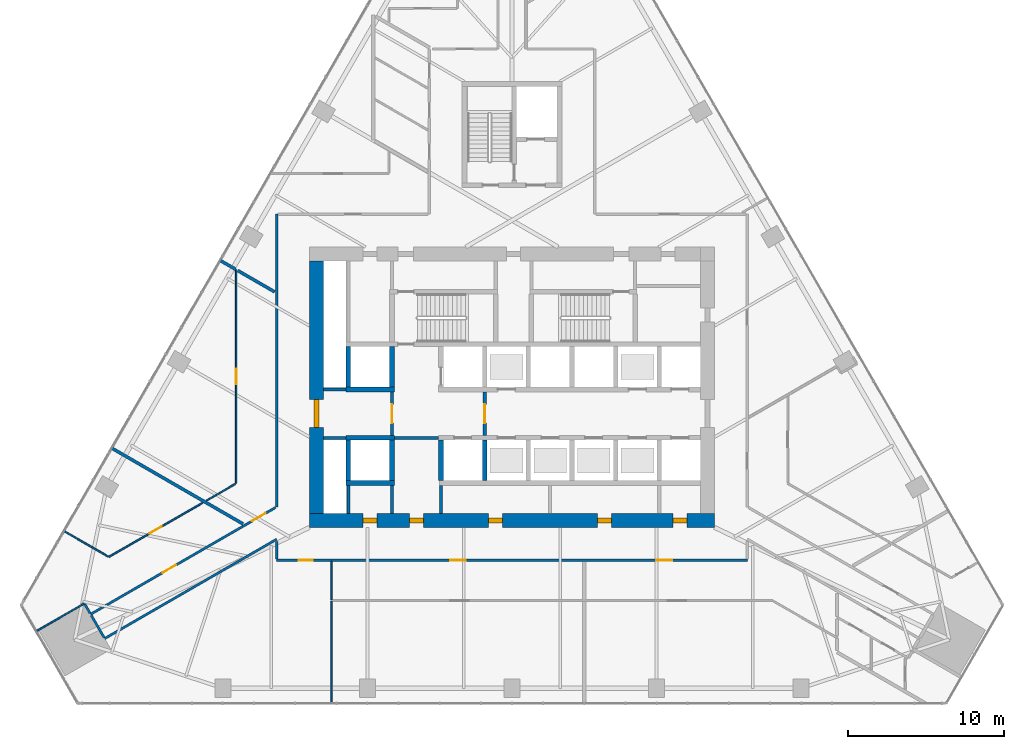
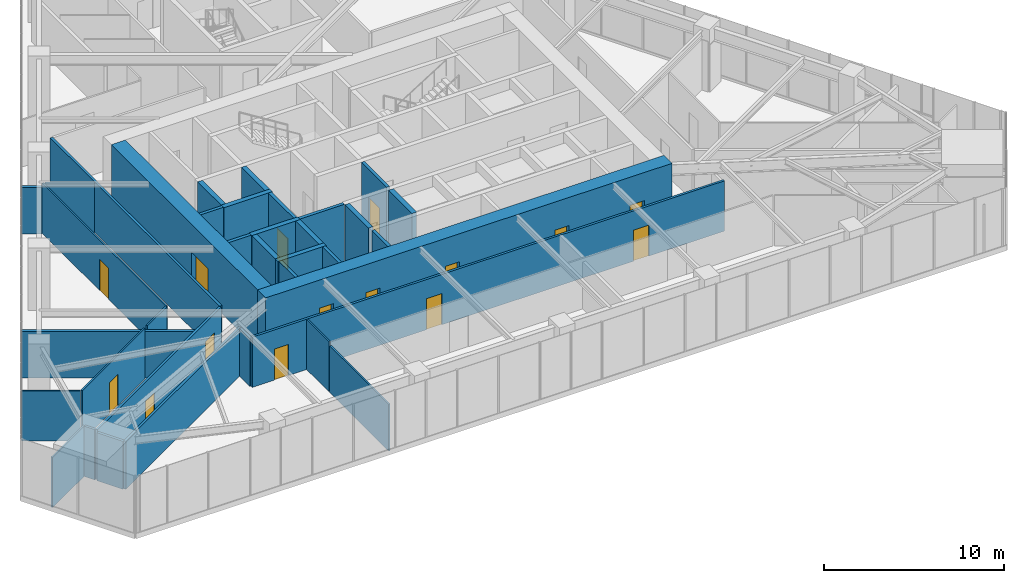
# One storey, part 16 of 22: 36 walls, 15 doors, 15 openings.
"""IFC4 building model written with IfcOpenShell, lengths in metres."""

from ifc_helpers import new_model, si_unit, direction, frame, frame_2d, origin, place, context, subcontext, project, spatial, rectangle, extrude, material, layer, layer_set, type_object, element, fill, save


model = new_model("IFC4")

# Units and contexts
model_context = context("Model", 3, precision=1e-05, world=origin(), true_north=direction((0.0, 1.0)))
body_context = subcontext(model_context, "Body", "Model", "MODEL_VIEW")
ifc_project = project(units=[si_unit("LENGTHUNIT", "METRE"), si_unit("AREAUNIT", "SQUARE_METRE"), si_unit("VOLUMEUNIT", "CUBIC_METRE"), si_unit("PLANEANGLEUNIT", "RADIAN"), si_unit("MASSUNIT", "GRAM", prefix="KILO")], contexts=[model_context])

# Site, building, storey
site_placement = place(None, origin())
site = spatial("IfcSite", under=ifc_project, at=site_placement, CompositionType="ELEMENT")
building_placement = place(site_placement, origin())
building = spatial("IfcBuilding", under=site, at=building_placement, Name="Firuza Gate Tower and Library", CompositionType="ELEMENT")
storey_placement = place(building_placement, frame((0.0, 0.0, 132.39990234375)))
storey = spatial("IfcBuildingStorey", under=building, at=storey_placement, Name="L30", CompositionType="ELEMENT", Elevation=132.39990234375)

# Walls
ifc_material_1 = material(Name="Plasterboard on steel studs", Category="steel")
ifc_layer_1 = layer(ifc_material_1, 0.199951171875)
ifc_layer_set_1 = layer_set([ifc_layer_1], Name="Core partition 200 EI 120")
wall_type_1 = type_object("IfcWallType", Name="Core partition 200 EI 120", PredefinedType="PARTITIONING", material=ifc_layer_set_1)
for number, where, z_axis, x_axis, name in (
    (1, (62.89990234375, 71.75, 0.0), (0.0, 0.0, 1.0), (1.0, 0.0, 0.0), "Core partition L30 1"),
    (2, (62.89990234375, 74.85009765625, 0.0), (0.0, 0.0, 1.0), (1.0, 0.0, 0.0), "Core partition L30 3"),
):
    element("IfcWall", number, at=place(storey_placement, frame(where, z_axis=z_axis, x_axis=x_axis)), inside=storey, type_object=wall_type_1, Name=name, PredefinedType="PARTITIONING", context=body_context, shape_type="SweptSolid", body=[
        extrude(rectangle(XDim=1.4501953125, YDim=0.199951171875, at=frame_2d((0.72509765625, 0.0))), origin(), (0.0, 0.0, 1.0), 4.0),
    ])
for number, where, z_axis, x_axis, name in (
    (3, (64.5, 66.89990234375, 0.0), (0.0, 0.0, 1.0), (0.0, 1.0, 0.0), "Core partition L30 5"),
    (4, (67.300048828125, 66.89990234375, 0.0), (0.0, 0.0, 1.0), (0.0, 1.0, 0.0), "Core partition L30 7"),
    (5, (70.449951171875, 66.89990234375, 0.0), (0.0, 0.0, 1.0), (0.0, 1.0, 0.0), "Core partition L30 10"),
):
    element("IfcWall", number, at=place(storey_placement, frame(where, z_axis=z_axis, x_axis=x_axis)), inside=storey, type_object=wall_type_1, Name=name, PredefinedType="PARTITIONING", context=body_context, shape_type="SweptSolid", body=[
        extrude(rectangle(XDim=1.800048828125, YDim=0.199951171875, at=frame_2d((0.89990234375, 0.0))), origin(), (0.0, 0.0, 1.0), 4.0),
    ])
ifc_material_2 = material(Name="Plasterboard on steel studs", Category="steel")
ifc_layer_2 = layer(ifc_material_2, 0.199951171875)
ifc_layer_set_2 = layer_set([ifc_layer_2], Name="Core partition 200 EI 60")
wall_type_2 = type_object("IfcWallType", Name="Core partition 200 EI 60", PredefinedType="PARTITIONING", material=ifc_layer_set_2)
wall_1_placement = place(storey_placement, frame((67.449951171875, 71.75, 0.0), z_axis=(0.0, 0.0, 1.0), x_axis=(1.0, 0.0, 0.0)))
element("IfcWall", 6, at=wall_1_placement, inside=storey, type_object=wall_type_2, Name="Core partition L30 2", PredefinedType="PARTITIONING", context=body_context, shape_type="SweptSolid", body=[
    extrude(rectangle(XDim=2.85009765625, YDim=0.199951171875, at=frame_2d((1.425048828125, 0.0))), origin(), (0.0, 0.0, 1.0), 4.0),
])

# Wall, opening, door
wall_2_placement = place(storey_placement, frame((67.300048828125, 71.89990234375, 0.0), z_axis=(0.0, 0.0, 1.0), x_axis=(0.0, 1.0, 0.0)))
wall_2 = element("IfcWall", 7, at=wall_2_placement, inside=storey, type_object=wall_type_2, Name="Core partition L30 8", PredefinedType="PARTITIONING", context=body_context, shape_type="SweptSolid", body=[
    extrude(rectangle(XDim=2.800048828125, YDim=0.199951171875, at=frame_2d((1.39990234375, 0.0))), origin(), (0.0, 0.0, 1.0), 4.0),
])
opening_1_placement = place(wall_2_placement, frame((0.800048828125, 0.0, 0.0)))
opening_1 = element("IfcOpeningElement", 8, at=opening_1_placement, cuts=wall_2, Name="Opening L30-K21", PredefinedType="OPENING", context=body_context, shape_type="SweptSolid", body=[
    extrude(rectangle(XDim=1.199951171875, YDim=2.10009765625, at=frame_2d((0.60009765625, 1.050048828125))), frame((0.0, 0.10986328125, 0.0), z_axis=(0.0, -1.0, 0.0), x_axis=(1.0, 0.0, 0.0)), (0.0, 0.0, 1.0), 0.219970703125),
])
ifc_material_3 = material(Name="Steel", Category="steel")
door_type_1 = type_object("IfcDoorType", Name="Fire door 1200x2100 FD90S", OperationType="NOTDEFINED", PredefinedType="DOOR", material=ifc_material_3)
door_1_placement = place(opening_1_placement, origin())
door_1 = element("IfcDoor", 9, at=door_1_placement, inside=storey, type_object=door_type_1, Name="Door L30-K21", OperationType="SINGLE_SWING_RIGHT", OverallHeight=2.10009765625, OverallWidth=1.199951171875, PredefinedType="DOOR", context=body_context, shape_type="SweptSolid", body=[
    extrude(rectangle(XDim=1.199951171875, YDim=2.10009765625, at=frame_2d((0.60009765625, 1.050048828125))), frame((0.0, 0.02490234375, 0.0), z_axis=(0.0, -1.0, 0.0), x_axis=(1.0, 0.0, 0.0)), (0.0, 0.0, 1.0), 0.050048828125),
])
fill(opening_1, door_1)

wall_3_placement = place(storey_placement, frame((73.25, 71.89990234375, 0.0), z_axis=(0.0, 0.0, 1.0), x_axis=(0.0, 1.0, 0.0)))
wall_3 = element("IfcWall", 10, at=wall_3_placement, inside=storey, type_object=wall_type_2, Name="Core partition L30 11", PredefinedType="PARTITIONING", context=body_context, shape_type="SweptSolid", body=[
    extrude(rectangle(XDim=2.800048828125, YDim=0.199951171875, at=frame_2d((1.39990234375, 0.0))), origin(), (0.0, 0.0, 1.0), 4.0),
])
opening_2_placement = place(wall_3_placement, frame((0.800048828125, 0.0, 0.0)))
opening_2 = element("IfcOpeningElement", 11, at=opening_2_placement, cuts=wall_3, Name="Opening L30-K20", PredefinedType="OPENING", context=body_context, shape_type="SweptSolid", body=[
    extrude(rectangle(XDim=1.199951171875, YDim=2.10009765625, at=frame_2d((0.60009765625, 1.050048828125))), frame((0.0, 0.10986328125, 0.0), z_axis=(0.0, -1.0, 0.0), x_axis=(1.0, 0.0, 0.0)), (0.0, 0.0, 1.0), 0.219970703125),
])
door_2_placement = place(opening_2_placement, origin())
door_2 = element("IfcDoor", 12, at=door_2_placement, inside=storey, type_object=door_type_1, Name="Door L30-K20", OperationType="SINGLE_SWING_LEFT", OverallHeight=2.10009765625, OverallWidth=1.199951171875, PredefinedType="DOOR", context=body_context, shape_type="SweptSolid", body=[
    extrude(rectangle(XDim=1.199951171875, YDim=2.10009765625, at=frame_2d((0.60009765625, 1.050048828125))), frame((0.0, 0.02490234375, 0.0), z_axis=(0.0, -1.0, 0.0), x_axis=(1.0, 0.0, 0.0)), (0.0, 0.0, 1.0), 0.050048828125),
])
fill(opening_2, door_2)

# Walls
ifc_material_4 = material(Name="Concrete C80/95", Category="concrete")
ifc_layer_3 = layer(ifc_material_4, 0.300048828125)
ifc_layer_set_3 = layer_set([ifc_layer_3], Name="Core wall 300 C80/95")
wall_type_3 = type_object("IfcWallType", Name="Core wall 300 C80/95", PredefinedType="SHEAR", material=ifc_layer_set_3)
for number, where, z_axis, x_axis, name in (
    (13, (64.35009765625, 68.85009765625, 0.0), (0.0, 0.0, 1.0), (1.0, 0.0, 0.0), "Core wall L30 5"),
    (14, (64.35009765625, 71.75, 0.0), (0.0, 0.0, 1.0), (1.0, 0.0, 0.0), "Core wall L30 7"),
    (15, (64.35009765625, 74.85009765625, 0.0), (0.0, 0.0, 1.0), (1.0, 0.0, 0.0), "Core wall L30 9"),
):
    element("IfcWall", number, at=place(storey_placement, frame(where, z_axis=z_axis, x_axis=x_axis)), inside=storey, type_object=wall_type_3, Name=name, PredefinedType="SHEAR", context=body_context, shape_type="SweptSolid", body=[
        extrude(rectangle(XDim=3.099853515625, YDim=0.300048828125, at=frame_2d((1.5498046875, 0.0))), origin(), (0.0, 0.0, 1.0), 4.0),
    ])
for number, where, z_axis, x_axis, name in (
    (16, (64.5, 69.0, 0.0), (0.0, 0.0, 1.0), (0.0, 1.0, 0.0), "Core wall L30 11"),
    (17, (64.5, 75.0, 0.0), (0.0, 0.0, 1.0), (0.0, 1.0, 0.0), "Core wall L30 12"),
    (18, (67.300048828125, 69.0, 0.0), (0.0, 0.0, 1.0), (0.0, 1.0, 0.0), "Core wall L30 13"),
    (19, (67.300048828125, 75.0, 0.0), (0.0, 0.0, 1.0), (0.0, 1.0, 0.0), "Core wall L30 14"),
    (20, (70.449951171875, 69.0, 0.0), (0.0, 0.0, 1.0), (0.0, 1.0, 0.0), "Core wall L30 15"),
    (21, (73.25, 69.0, 0.0), (0.0, 0.0, 1.0), (0.0, 1.0, 0.0), "Core wall L30 17"),
):
    element("IfcWall", number, at=place(storey_placement, frame(where, z_axis=z_axis, x_axis=x_axis)), inside=storey, type_object=wall_type_3, Name=name, PredefinedType="SHEAR", context=body_context, shape_type="SweptSolid", body=[
        extrude(rectangle(XDim=2.60009765625, YDim=0.300048828125, at=frame_2d((1.300048828125, 0.0))), origin(), (0.0, 0.0, 1.0), 4.0),
    ])

# Wall, openings, doors
ifc_material_5 = material(Name="Concrete C80/95", Category="concrete")
ifc_layer_4 = layer(ifc_material_5, 0.89990234375)
ifc_layer_set_4 = layer_set([ifc_layer_4], Name="Core wall 900 C80/95")
wall_type_4 = type_object("IfcWallType", Name="Core wall 900 C80/95", PredefinedType="SHEAR", material=ifc_layer_set_4)
wall_4_placement = place(storey_placement, frame((62.0, 66.449951171875, 0.0), z_axis=(0.0, 0.0, 1.0), x_axis=(1.0, 0.0, 0.0)))
wall_4 = element("IfcWall", 22, at=wall_4_placement, inside=storey, type_object=wall_type_4, Name="Core wall L30 1", PredefinedType="SHEAR", context=body_context, shape_type="SweptSolid", body=[
    extrude(rectangle(XDim=26.0, YDim=0.89990234375, at=frame_2d((13.0, 0.0))), origin(), (0.0, 0.0, 1.0), 4.0),
])
opening_3_placement = place(wall_4_placement, frame((3.449951171875, 0.0, 0.0)))
opening_3 = element("IfcOpeningElement", 23, at=opening_3_placement, cuts=wall_4, Name="Opening L30-K24", PredefinedType="OPENING", context=body_context, shape_type="SweptSolid", body=[
    extrude(rectangle(XDim=0.89990234375, YDim=2.10009765625, at=frame_2d((0.449951171875, 1.050048828125))), frame((0.0, 0.4599609375, 0.0), z_axis=(0.0, -1.0, 0.0), x_axis=(1.0, 0.0, 0.0)), (0.0, 0.0, 1.0), 0.919921875),
])
opening_4_placement = place(wall_4_placement, frame((6.425048828125, 0.0, 0.0)))
opening_4 = element("IfcOpeningElement", 24, at=opening_4_placement, cuts=wall_4, Name="Opening L30-K25", PredefinedType="OPENING", context=body_context, shape_type="SweptSolid", body=[
    extrude(rectangle(XDim=0.89990234375, YDim=2.10009765625, at=frame_2d((0.449951171875, 1.050048828125))), frame((0.0, 0.4599609375, 0.0), z_axis=(0.0, -1.0, 0.0), x_axis=(1.0, 0.0, 0.0)), (0.0, 0.0, 1.0), 0.919921875),
])
opening_5_placement = place(wall_4_placement, frame((11.5, 0.0, 0.0)))
opening_5 = element("IfcOpeningElement", 25, at=opening_5_placement, cuts=wall_4, Name="Opening L30-K26", PredefinedType="OPENING", context=body_context, shape_type="SweptSolid", body=[
    extrude(rectangle(XDim=0.89990234375, YDim=2.10009765625, at=frame_2d((0.449951171875, 1.050048828125))), frame((0.0, 0.4599609375, 0.0), z_axis=(0.0, -1.0, 0.0), x_axis=(1.0, 0.0, 0.0)), (0.0, 0.0, 1.0), 0.919921875),
])
opening_6_placement = place(wall_4_placement, frame((18.5, 0.0, 0.0)))
opening_6 = element("IfcOpeningElement", 26, at=opening_6_placement, cuts=wall_4, Name="Opening L30-K27", PredefinedType="OPENING", context=body_context, shape_type="SweptSolid", body=[
    extrude(rectangle(XDim=0.89990234375, YDim=2.10009765625, at=frame_2d((0.449951171875, 1.050048828125))), frame((0.0, 0.4599609375, 0.0), z_axis=(0.0, -1.0, 0.0), x_axis=(1.0, 0.0, 0.0)), (0.0, 0.0, 1.0), 0.919921875),
])
opening_7_placement = place(wall_4_placement, frame((23.324951171875, 0.0, 0.0)))
opening_7 = element("IfcOpeningElement", 27, at=opening_7_placement, cuts=wall_4, Name="Opening L30-K28", PredefinedType="OPENING", context=body_context, shape_type="SweptSolid", body=[
    extrude(rectangle(XDim=0.89990234375, YDim=2.10009765625, at=frame_2d((0.449951171875, 1.050048828125))), frame((0.0, 0.4599609375, 0.0), z_axis=(0.0, -1.0, 0.0), x_axis=(1.0, 0.0, 0.0)), (0.0, 0.0, 1.0), 0.919921875),
])
ifc_material_6 = material(Name="Steel", Category="steel")
door_type_2 = type_object("IfcDoorType", Name="Fire door 900x2100 FD30S", OperationType="NOTDEFINED", PredefinedType="DOOR", material=ifc_material_6)
door_3_placement = place(opening_3_placement, origin())
door_3 = element("IfcDoor", 28, at=door_3_placement, inside=storey, type_object=door_type_2, Name="Door L30-K24", OperationType="SINGLE_SWING_LEFT", OverallHeight=2.10009765625, OverallWidth=0.89990234375, PredefinedType="DOOR", context=body_context, shape_type="SweptSolid", body=[
    extrude(rectangle(XDim=0.89990234375, YDim=2.10009765625, at=frame_2d((0.449951171875, 1.050048828125))), frame((0.0, 0.169921875, 0.0), z_axis=(0.0, -1.0, 0.0), x_axis=(1.0, 0.0, 0.0)), (0.0, 0.0, 1.0), 0.33984375),
])
fill(opening_3, door_3)
door_4_placement = place(opening_4_placement, origin())
door_4 = element("IfcDoor", 29, at=door_4_placement, inside=storey, type_object=door_type_2, Name="Door L30-K25", OperationType="SINGLE_SWING_RIGHT", OverallHeight=2.10009765625, OverallWidth=0.89990234375, PredefinedType="DOOR", context=body_context, shape_type="SweptSolid", body=[
    extrude(rectangle(XDim=0.89990234375, YDim=2.10009765625, at=frame_2d((0.449951171875, 1.050048828125))), frame((0.0, 0.169921875, 0.0), z_axis=(0.0, -1.0, 0.0), x_axis=(1.0, 0.0, 0.0)), (0.0, 0.0, 1.0), 0.33984375),
])
fill(opening_4, door_4)
door_5_placement = place(opening_5_placement, origin())
door_5 = element("IfcDoor", 30, at=door_5_placement, inside=storey, type_object=door_type_2, Name="Door L30-K26", OperationType="SINGLE_SWING_LEFT", OverallHeight=2.10009765625, OverallWidth=0.89990234375, PredefinedType="DOOR", context=body_context, shape_type="SweptSolid", body=[
    extrude(rectangle(XDim=0.89990234375, YDim=2.10009765625, at=frame_2d((0.449951171875, 1.050048828125))), frame((0.0, 0.169921875, 0.0), z_axis=(0.0, -1.0, 0.0), x_axis=(1.0, 0.0, 0.0)), (0.0, 0.0, 1.0), 0.33984375),
])
fill(opening_5, door_5)
door_6_placement = place(opening_6_placement, origin())
door_6 = element("IfcDoor", 31, at=door_6_placement, inside=storey, type_object=door_type_2, Name="Door L30-K27", OperationType="SINGLE_SWING_RIGHT", OverallHeight=2.10009765625, OverallWidth=0.89990234375, PredefinedType="DOOR", context=body_context, shape_type="SweptSolid", body=[
    extrude(rectangle(XDim=0.89990234375, YDim=2.10009765625, at=frame_2d((0.449951171875, 1.050048828125))), frame((0.0, 0.169921875, 0.0), z_axis=(0.0, -1.0, 0.0), x_axis=(1.0, 0.0, 0.0)), (0.0, 0.0, 1.0), 0.33984375),
])
fill(opening_6, door_6)
door_7_placement = place(opening_7_placement, origin())
door_7 = element("IfcDoor", 32, at=door_7_placement, inside=storey, type_object=door_type_2, Name="Door L30-K28", OperationType="SINGLE_SWING_LEFT", OverallHeight=2.10009765625, OverallWidth=0.89990234375, PredefinedType="DOOR", context=body_context, shape_type="SweptSolid", body=[
    extrude(rectangle(XDim=0.89990234375, YDim=2.10009765625, at=frame_2d((0.449951171875, 1.050048828125))), frame((0.0, 0.169921875, 0.0), z_axis=(0.0, -1.0, 0.0), x_axis=(1.0, 0.0, 0.0)), (0.0, 0.0, 1.0), 0.33984375),
])
fill(opening_7, door_7)

# Wall, opening, door
wall_5_placement = place(storey_placement, frame((62.449951171875, 66.89990234375, 0.0), z_axis=(0.0, 0.0, 1.0), x_axis=(0.0, 1.0, 0.0)))
wall_5 = element("IfcWall", 33, at=wall_5_placement, inside=storey, type_object=wall_type_4, Name="Core wall L30 3", PredefinedType="SHEAR", context=body_context, shape_type="SweptSolid", body=[
    extrude(rectangle(XDim=16.2001953125, YDim=0.89990234375, at=frame_2d((8.10009765625, 0.0))), origin(), (0.0, 0.0, 1.0), 4.0),
])
opening_8_placement = place(wall_5_placement, frame((5.5, 0.0, 0.0)))
opening_8 = element("IfcOpeningElement", 34, at=opening_8_placement, cuts=wall_5, Name="Opening L30-K22", PredefinedType="OPENING", context=body_context, shape_type="SweptSolid", body=[
    extrude(rectangle(XDim=1.800048828125, YDim=2.10009765625, at=frame_2d((0.89990234375, 1.050048828125))), frame((0.0, 0.4599609375, 0.0), z_axis=(0.0, -1.0, 0.0), x_axis=(1.0, 0.0, 0.0)), (0.0, 0.0, 1.0), 0.919921875),
])
ifc_material_7 = material(Name="Steel", Category="steel")
door_type_3 = type_object("IfcDoorType", Name="Fire door 1800x2100 FD30S", OperationType="NOTDEFINED", PredefinedType="DOOR", material=ifc_material_7)
door_8_placement = place(opening_8_placement, origin())
door_8 = element("IfcDoor", 35, at=door_8_placement, inside=storey, type_object=door_type_3, Name="Door L30-K22", OperationType="SINGLE_SWING_LEFT", OverallHeight=2.10009765625, OverallWidth=1.800048828125, PredefinedType="DOOR", context=body_context, shape_type="SweptSolid", body=[
    extrude(rectangle(XDim=1.800048828125, YDim=2.10009765625, at=frame_2d((0.89990234375, 1.050048828125))), frame((0.0, 0.169921875, 0.0), z_axis=(0.0, -1.0, 0.0), x_axis=(1.0, 0.0, 0.0)), (0.0, 0.0, 1.0), 0.33984375),
])
fill(opening_8, door_8)

# Wall, openings, doors
ifc_material_8 = material(Name="Gypsum board partition")
ifc_layer_5 = layer(ifc_material_8, 0.14990234375)
ifc_layer_set_5 = layer_set([ifc_layer_5], Name="Corridor wall 150 double board on steel studs")
wall_type_5 = type_object("IfcWallType", Name="Corridor wall 150 double board on steel studs", PredefinedType="PARTITIONING", material=ifc_layer_set_5)
wall_6_placement = place(storey_placement, frame((90.10009765625, 63.89990234375, 0.0), z_axis=(0.0, 0.0, 1.0), x_axis=(-1.0, 0.0, 0.0)))
wall_6 = element("IfcWall", 36, at=wall_6_placement, inside=storey, type_object=wall_type_5, Name="f:L30:w001", PredefinedType="PARTITIONING", context=body_context, shape_type="SweptSolid", body=[
    extrude(rectangle(XDim=30.19970703125, YDim=0.14990234375, at=frame_2d((15.099853515625, 0.0))), origin(), (0.0, 0.0, 1.0), 3.400146484375),
])
opening_9_placement = place(wall_6_placement, frame((4.83349609375, 0.0, 0.0)))
opening_9 = element("IfcOpeningElement", 37, at=opening_9_placement, cuts=wall_6, Name="Opening L30-03", PredefinedType="OPENING", context=body_context, shape_type="SweptSolid", body=[
    extrude(rectangle(XDim=1.0, YDim=2.10009765625, at=frame_2d((0.5, 1.050048828125))), frame((0.0, 0.0849609375, 0.0), z_axis=(0.0, -1.0, 0.0), x_axis=(1.0, 0.0, 0.0)), (0.0, 0.0, 1.0), 0.169921875),
])
opening_10_placement = place(wall_6_placement, frame((18.0771484375, 0.0, 0.0)))
opening_10 = element("IfcOpeningElement", 38, at=opening_10_placement, cuts=wall_6, Name="Opening L30-04", PredefinedType="OPENING", context=body_context, shape_type="SweptSolid", body=[
    extrude(rectangle(XDim=1.0, YDim=2.10009765625, at=frame_2d((0.5, 1.050048828125))), frame((0.0, 0.0849609375, 0.0), z_axis=(0.0, -1.0, 0.0), x_axis=(1.0, 0.0, 0.0)), (0.0, 0.0, 1.0), 0.169921875),
])
opening_11_placement = place(wall_6_placement, frame((27.893310546875, 0.0, 0.0)))
opening_11 = element("IfcOpeningElement", 39, at=opening_11_placement, cuts=wall_6, Name="Opening L30-05", PredefinedType="OPENING", context=body_context, shape_type="SweptSolid", body=[
    extrude(rectangle(XDim=0.89990234375, YDim=2.10009765625, at=frame_2d((0.449951171875, 1.050048828125))), frame((0.0, 0.0849609375, 0.0), z_axis=(0.0, -1.0, 0.0), x_axis=(1.0, 0.0, 0.0)), (0.0, 0.0, 1.0), 0.169921875),
])
ifc_material_9 = material(Name="Steel door and timber leaf", Category="steel")
door_type_4 = type_object("IfcDoorType", Name="Fire door 1000 x 2100 steel frame, timber leaf", OperationType="NOTDEFINED", PredefinedType="DOOR", material=ifc_material_9)
door_9_placement = place(opening_9_placement, origin())
door_9 = element("IfcDoor", 40, at=door_9_placement, inside=storey, type_object=door_type_4, Name="f:L30:d003", OperationType="SINGLE_SWING_RIGHT", OverallHeight=2.10009765625, OverallWidth=1.0, PredefinedType="DOOR", context=body_context, shape_type="SweptSolid", body=[
    extrude(rectangle(XDim=1.0, YDim=2.10009765625, at=frame_2d((0.5, 1.050048828125))), frame((0.0, 0.02490234375, 0.0), z_axis=(0.0, -1.0, 0.0), x_axis=(1.0, 0.0, 0.0)), (0.0, 0.0, 1.0), 0.050048828125),
])
fill(opening_9, door_9)
door_10_placement = place(opening_10_placement, origin())
door_10 = element("IfcDoor", 41, at=door_10_placement, inside=storey, type_object=door_type_4, Name="f:L30:d004", OperationType="SINGLE_SWING_RIGHT", OverallHeight=2.10009765625, OverallWidth=1.0, PredefinedType="DOOR", context=body_context, shape_type="SweptSolid", body=[
    extrude(rectangle(XDim=1.0, YDim=2.10009765625, at=frame_2d((0.5, 1.050048828125))), frame((0.0, 0.02490234375, 0.0), z_axis=(0.0, -1.0, 0.0), x_axis=(1.0, 0.0, 0.0)), (0.0, 0.0, 1.0), 0.050048828125),
])
fill(opening_10, door_10)
ifc_material_10 = material(Name="Steel door and timber leaf", Category="steel")
door_type_5 = type_object("IfcDoorType", Name="Fire door 900 x 2100 steel frame, timber leaf", OperationType="NOTDEFINED", PredefinedType="DOOR", material=ifc_material_10)
door_11_placement = place(opening_11_placement, origin())
door_11 = element("IfcDoor", 42, at=door_11_placement, inside=storey, type_object=door_type_5, Name="f:L30:d005", OperationType="SINGLE_SWING_RIGHT", OverallHeight=2.10009765625, OverallWidth=0.89990234375, PredefinedType="DOOR", context=body_context, shape_type="SweptSolid", body=[
    extrude(rectangle(XDim=0.89990234375, YDim=2.10009765625, at=frame_2d((0.449951171875, 1.050048828125))), frame((0.0, 0.02490234375, 0.0), z_axis=(0.0, -1.0, 0.0), x_axis=(1.0, 0.0, 0.0)), (0.0, 0.0, 1.0), 0.050048828125),
])
fill(opening_11, door_11)

# Wall
wall_7_placement = place(storey_placement, frame((48.86474609375, 58.87158203125, 0.0), z_axis=(0.0, 0.0, 1.0), x_axis=(0.866019033468, 0.500011033549, 0.0)))
element("IfcWall", 43, at=wall_7_placement, inside=storey, type_object=wall_type_5, Name="f:L30:w014", PredefinedType="PARTITIONING", context=body_context, shape_type="SweptSolid", body=[
    extrude(rectangle(XDim=12.742431640625, YDim=0.14990234375, at=frame_2d((6.37109375, 0.0))), origin(), (0.0, 0.0, 1.0), 3.2470703125),
])

# Wall, openings, doors
wall_8_placement = place(storey_placement, frame((47.966796875, 60.431640625, 0.0), z_axis=(0.0, 0.0, 1.0), x_axis=(0.866021388453, 0.500006954693, 0.0)))
wall_8 = element("IfcWall", 44, at=wall_8_placement, inside=storey, type_object=wall_type_5, Name="f:L30:w015", PredefinedType="PARTITIONING", context=body_context, shape_type="SweptSolid", body=[
    extrude(rectangle(XDim=13.692626953125, YDim=0.14990234375, at=frame_2d((6.84619140625, 0.0))), origin(), (0.0, 0.0, 1.0), 3.400146484375),
])
opening_12_placement = place(wall_8_placement, frame((5.321044921875, 0.0, 0.0)))
opening_12 = element("IfcOpeningElement", 45, at=opening_12_placement, cuts=wall_8, Name="Opening L30-12", PredefinedType="OPENING", context=body_context, shape_type="SweptSolid", body=[
    extrude(rectangle(XDim=1.0, YDim=2.10009765625, at=frame_2d((0.5, 1.050048828125))), frame((0.0, 0.0849609375, 0.0), z_axis=(0.0, -1.0, 0.0), x_axis=(1.0, 0.0, 0.0)), (0.0, 0.0, 1.0), 0.169921875),
])
opening_13_placement = place(wall_8_placement, frame((11.964111328125, 0.0, 0.0)))
opening_13 = element("IfcOpeningElement", 46, at=opening_13_placement, cuts=wall_8, Name="Opening L30-13", PredefinedType="OPENING", context=body_context, shape_type="SweptSolid", body=[
    extrude(rectangle(XDim=1.0, YDim=2.10009765625, at=frame_2d((0.5, 1.050048828125))), frame((0.0, 0.0849609375, 0.0), z_axis=(0.0, -1.0, 0.0), x_axis=(1.0, 0.0, 0.0)), (0.0, 0.0, 1.0), 0.169921875),
])
door_12_placement = place(opening_12_placement, origin())
door_12 = element("IfcDoor", 47, at=door_12_placement, inside=storey, type_object=door_type_4, Name="f:L30:d012", OperationType="SINGLE_SWING_LEFT", OverallHeight=2.10009765625, OverallWidth=1.0, PredefinedType="DOOR", context=body_context, shape_type="SweptSolid", body=[
    extrude(rectangle(XDim=1.0, YDim=2.10009765625, at=frame_2d((0.5, 1.050048828125))), frame((0.0, 0.02490234375, 0.0), z_axis=(0.0, -1.0, 0.0), x_axis=(1.0, 0.0, 0.0)), (0.0, 0.0, 1.0), 0.050048828125),
])
fill(opening_12, door_12)
door_13_placement = place(opening_13_placement, origin())
door_13 = element("IfcDoor", 48, at=door_13_placement, inside=storey, type_object=door_type_4, Name="f:L30:d013", OperationType="SINGLE_SWING_RIGHT", OverallHeight=2.10009765625, OverallWidth=1.0, PredefinedType="DOOR", context=body_context, shape_type="SweptSolid", body=[
    extrude(rectangle(XDim=1.0, YDim=2.10009765625, at=frame_2d((0.5, 1.050048828125))), frame((0.0, 0.02490234375, 0.0), z_axis=(0.0, -1.0, 0.0), x_axis=(1.0, 0.0, 0.0)), (0.0, 0.0, 1.0), 0.050048828125),
])
fill(opening_13, door_13)

# Walls
wall_9_placement = place(storey_placement, frame((59.89990234375, 63.9755859375, 0.0), z_axis=(0.0, 0.0, 1.0), x_axis=(0.0, 1.0, 0.0)))
element("IfcWall", 49, at=wall_9_placement, inside=storey, type_object=wall_type_5, Name="f:L30:w044", PredefinedType="PARTITIONING", context=body_context, shape_type="SweptSolid", body=[
    extrude(rectangle(XDim=1.130615234375, YDim=0.14990234375, at=frame_2d((0.5654296875, 0.0))), origin(), (0.0, 0.0, 1.0), 3.2470703125),
])
wall_10_placement = place(storey_placement, frame((59.89990234375, 67.3212890625, 0.0), z_axis=(0.0, 0.0, 1.0), x_axis=(0.0, 1.0, 0.0)))
element("IfcWall", 50, at=wall_10_placement, inside=storey, type_object=wall_type_5, Name="f:L30:w045", PredefinedType="PARTITIONING", context=body_context, shape_type="SweptSolid", body=[
    extrude(rectangle(XDim=18.7783203125, YDim=0.14990234375, at=frame_2d((9.38916015625, 0.0))), origin(), (0.0, 0.0, 1.0), 3.400146484375),
])
wall_11_placement = place(storey_placement, frame((48.826171875, 58.9365234375, 0.0), z_axis=(0.0, 0.0, 1.0), x_axis=(-0.499991515992, 0.866030301974, 0.0)))
element("IfcWall", 51, at=wall_11_placement, inside=storey, type_object=wall_type_5, Name="f:L30:w049", PredefinedType="PARTITIONING", context=body_context, shape_type="SweptSolid", body=[
    extrude(rectangle(XDim=1.6494140625, YDim=0.14990234375, at=frame_2d((0.82470703125, 0.0))), origin(), (0.0, 0.0, 1.0), 3.2470703125),
])
wall_12_placement = place(storey_placement, frame((47.926513671875, 60.4951171875, 0.0), z_axis=(0.0, 0.0, 1.0), x_axis=(-0.5000475079, 0.865997973348, 0.0)))
element("IfcWall", 52, at=wall_12_placement, inside=storey, type_object=wall_type_5, Name="f:L30:w067", PredefinedType="PARTITIONING", context=body_context, shape_type="SweptSolid", body=[
    extrude(rectangle(XDim=0.671875, YDim=0.14990234375, at=frame_2d((0.3359375, 0.0))), origin(), (0.0, 0.0, 1.0), 3.400146484375),
])
ifc_material_11 = material(Name="Gypsum board partition")
ifc_layer_6 = layer(ifc_material_11, 0.199951171875)
ifc_layer_set_6 = layer_set([ifc_layer_6], Name="Demising wall 200 acoustic double stud")
wall_type_6 = type_object("IfcWallType", Name="Demising wall 200 acoustic double stud", PredefinedType="PARTITIONING", material=ifc_layer_set_6)
wall_13_placement = place(storey_placement, frame((59.773193359375, 81.11474609375, 0.0), z_axis=(0.0, 0.0, 1.0), x_axis=(-0.86604168154, 0.499971805041, 0.0)))
element("IfcWall", 53, at=wall_13_placement, inside=storey, type_object=wall_type_6, Name="f:L30:w058", PredefinedType="PARTITIONING", context=body_context, shape_type="SweptSolid", body=[
    extrude(rectangle(XDim=2.740478515625, YDim=0.199951171875, at=frame_2d((1.3701171875, 0.0))), origin(), (0.0, 0.0, 1.0), 3.400146484375),
])
wall_14_placement = place(storey_placement, frame((57.746337890625, 66.22412109375, 0.0), z_axis=(0.0, 0.0, 1.0), x_axis=(-0.866017068849, 0.500014436255, 0.0)))
element("IfcWall", 54, at=wall_14_placement, inside=storey, type_object=wall_type_6, Name="f:L30:w062", PredefinedType="PARTITIONING", context=body_context, shape_type="SweptSolid", body=[
    extrude(rectangle(XDim=9.722900390625, YDim=0.199951171875, at=frame_2d((4.861328125, 0.0))), origin(), (0.0, 0.0, 1.0), 3.1650390625),
])
wall_15_placement = place(storey_placement, frame((57.2626953125, 82.564208984375, 0.0), z_axis=(0.0, 0.0, 1.0), x_axis=(-0.8660349869, 0.499983401189, 0.0)))
element("IfcWall", 55, at=wall_15_placement, inside=storey, type_object=wall_type_6, Name="f:L30:w072", PredefinedType="PARTITIONING", context=body_context, shape_type="SweptSolid", body=[
    extrude(rectangle(XDim=1.1337890625, YDim=0.199951171875, at=frame_2d((0.56689453125, 0.0))), origin(), (0.0, 0.0, 1.0), 3.1650390625),
])
ifc_material_12 = material(Name="Gypsum board partition")
ifc_layer_7 = layer(ifc_material_12, 0.10009765625)
ifc_layer_set_7 = layer_set([ifc_layer_7], Name="Partition 100 gypsum board on steel studs")
wall_type_7 = type_object("IfcWallType", Name="Partition 100 gypsum board on steel studs", PredefinedType="PARTITIONING", material=ifc_layer_set_7)
wall_16_placement = place(storey_placement, frame((44.481201171875, 59.343017578125, 0.0), z_axis=(0.0, 0.0, 1.0), x_axis=(0.866008413041, 0.500029427677, 0.0)))
element("IfcWall", 56, at=wall_16_placement, inside=storey, type_object=wall_type_7, Name="f:L30:w016", PredefinedType="PARTITIONING", context=body_context, shape_type="SweptSolid", body=[
    extrude(rectangle(XDim=3.556884765625, YDim=0.10009765625, at=frame_2d((1.7783203125, 0.0))), origin(), (0.0, 0.0, 1.0), 3.400146484375),
])

# Wall, opening, door
wall_17_placement = place(storey_placement, frame((55.14794921875, 67.580078125, 0.0), z_axis=(0.0, 0.0, 1.0), x_axis=(-0.866019333862, -0.500010513267, 0.0)))
wall_17 = element("IfcWall", 57, at=wall_17_placement, inside=storey, type_object=wall_type_7, Name="f:L30:w018", PredefinedType="PARTITIONING", context=body_context, shape_type="SweptSolid", body=[
    extrude(rectangle(XDim=6.945068359375, YDim=0.10009765625, at=frame_2d((3.47265625, 0.0))), origin(), (0.0, 0.0, 1.0), 3.400146484375),
])
opening_14_placement = place(wall_17_placement, frame((3.022705078125, 0.0, 0.0)))
opening_14 = element("IfcOpeningElement", 58, at=opening_14_placement, cuts=wall_17, Name="Opening L30-14", PredefinedType="OPENING", context=body_context, shape_type="SweptSolid", body=[
    extrude(rectangle(XDim=0.89990234375, YDim=2.10009765625, at=frame_2d((0.449951171875, 1.050048828125))), frame((0.0, 0.06005859375, 0.0), z_axis=(0.0, -1.0, 0.0), x_axis=(1.0, 0.0, 0.0)), (0.0, 0.0, 1.0), 0.1201171875),
])
ifc_material_13 = material(Name="Timber door", Category="wood")
door_type_6 = type_object("IfcDoorType", Name="Door 900 x 2100 timber leaf", OperationType="NOTDEFINED", PredefinedType="DOOR", material=ifc_material_13)
door_14_placement = place(opening_14_placement, origin())
door_14 = element("IfcDoor", 59, at=door_14_placement, inside=storey, type_object=door_type_6, Name="f:L30:d014", OperationType="SINGLE_SWING_LEFT", OverallHeight=2.10009765625, OverallWidth=0.89990234375, PredefinedType="DOOR", context=body_context, shape_type="SweptSolid", body=[
    extrude(rectangle(XDim=0.89990234375, YDim=2.10009765625, at=frame_2d((0.449951171875, 1.050048828125))), frame((0.0, 0.02490234375, 0.0), z_axis=(0.0, -1.0, 0.0), x_axis=(1.0, 0.0, 0.0)), (0.0, 0.0, 1.0), 0.050048828125),
])
fill(opening_14, door_14)

# Wall
wall_18_placement = place(storey_placement, frame((63.409912109375, 54.722900390625, 0.0), z_axis=(0.0, 0.0, 1.0), x_axis=(0.0, 1.0, 0.0)))
element("IfcWall", 60, at=wall_18_placement, inside=storey, type_object=wall_type_7, Name="f:L30:w043", PredefinedType="PARTITIONING", context=body_context, shape_type="SweptSolid", body=[
    extrude(rectangle(XDim=6.527099609375, YDim=0.10009765625, at=frame_2d((3.263671875, 0.0))), origin(), (0.0, 0.0, 1.0), 3.1650390625),
])

# Wall, opening, door
wall_19_placement = place(storey_placement, frame((57.300048828125, 82.54248046875, 0.0), z_axis=(0.0, 0.0, 1.0), x_axis=(0.0, -1.0, 0.0)))
wall_19 = element("IfcWall", 61, at=wall_19_placement, inside=storey, type_object=wall_type_7, Name="f:L30:w046", PredefinedType="PARTITIONING", context=body_context, shape_type="SweptSolid", body=[
    extrude(rectangle(XDim=13.72021484375, YDim=0.10009765625, at=frame_2d((6.860107421875, 0.0))), origin(), (0.0, 0.0, 1.0), 3.400146484375),
])
opening_15_placement = place(wall_19_placement, frame((6.360107421875, 0.0, 0.0)))
opening_15 = element("IfcOpeningElement", 62, at=opening_15_placement, cuts=wall_19, Name="Opening L30-26", PredefinedType="OPENING", context=body_context, shape_type="SweptSolid", body=[
    extrude(rectangle(XDim=1.0, YDim=2.10009765625, at=frame_2d((0.5, 1.050048828125))), frame((0.0, 0.06005859375, 0.0), z_axis=(0.0, -1.0, 0.0), x_axis=(1.0, 0.0, 0.0)), (0.0, 0.0, 1.0), 0.1201171875),
])
ifc_material_14 = material(Name="Timber door", Category="wood")
door_type_7 = type_object("IfcDoorType", Name="Door 1000 x 2100 timber leaf", OperationType="NOTDEFINED", PredefinedType="DOOR", material=ifc_material_14)
door_15_placement = place(opening_15_placement, origin())
door_15 = element("IfcDoor", 63, at=door_15_placement, inside=storey, type_object=door_type_7, Name="f:L30:d026", OperationType="SINGLE_SWING_RIGHT", OverallHeight=2.10009765625, OverallWidth=1.0, PredefinedType="DOOR", context=body_context, shape_type="SweptSolid", body=[
    extrude(rectangle(XDim=1.0, YDim=2.10009765625, at=frame_2d((0.5, 1.050048828125))), frame((0.0, 0.02490234375, 0.0), z_axis=(0.0, -1.0, 0.0), x_axis=(1.0, 0.0, 0.0)), (0.0, 0.0, 1.0), 0.050048828125),
])
fill(opening_15, door_15)

# Walls
wall_20_placement = place(storey_placement, frame((49.083251953125, 64.135986328125, 0.0), z_axis=(0.0, 0.0, 1.0), x_axis=(-0.866048593798, 0.499959831567, 0.0)))
element("IfcWall", 64, at=wall_20_placement, inside=storey, type_object=wall_type_7, Name="f:L30:w063", PredefinedType="PARTITIONING", context=body_context, shape_type="SweptSolid", body=[
    extrude(rectangle(XDim=3.264404296875, YDim=0.10009765625, at=frame_2d((1.63232421875, 0.0))), origin(), (0.0, 0.0, 1.0), 3.400146484375),
])
wall_21_placement = place(storey_placement, frame((55.39794921875, 67.724365234375, 0.0), z_axis=(0.0, 0.0, 1.0), x_axis=(0.866063918387, 0.499933284817, 0.0)))
element("IfcWall", 65, at=wall_21_placement, inside=storey, type_object=wall_type_7, Name="f:L30:w068", PredefinedType="PARTITIONING", context=body_context, shape_type="SweptSolid", body=[
    extrude(rectangle(XDim=2.138427734375, YDim=0.10009765625, at=frame_2d((1.0693359375, 0.0))), origin(), (0.0, 0.0, 1.0), 3.400146484375),
])
wall_22_placement = place(storey_placement, frame((63.409912109375, 61.35009765625, 0.0), z_axis=(0.0, 0.0, 1.0), x_axis=(0.0, 1.0, 0.0)))
element("IfcWall", 66, at=wall_22_placement, inside=storey, type_object=wall_type_7, Name="f:L30:w073", PredefinedType="PARTITIONING", context=body_context, shape_type="SweptSolid", body=[
    extrude(rectangle(XDim=2.474853515625, YDim=0.10009765625, at=frame_2d((1.2373046875, 0.0))), origin(), (0.0, 0.0, 1.0), 3.400146484375),
])

save(model, "model.ifc")
